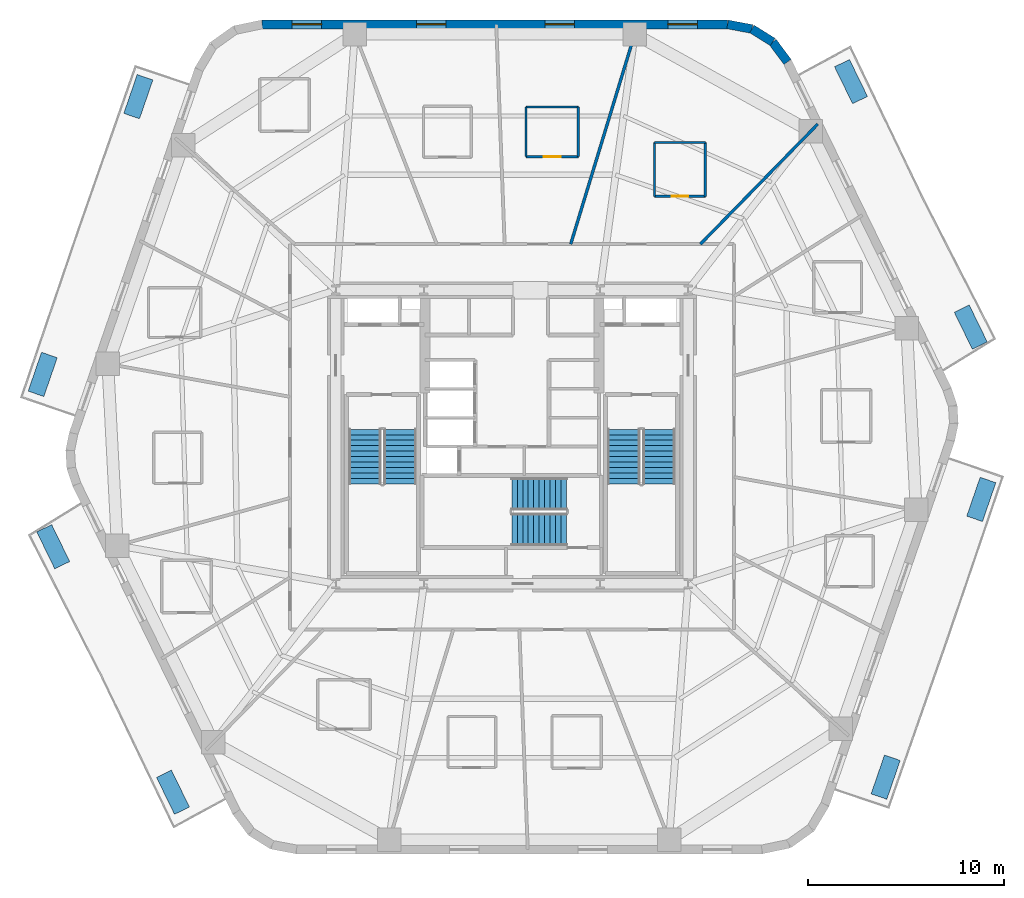
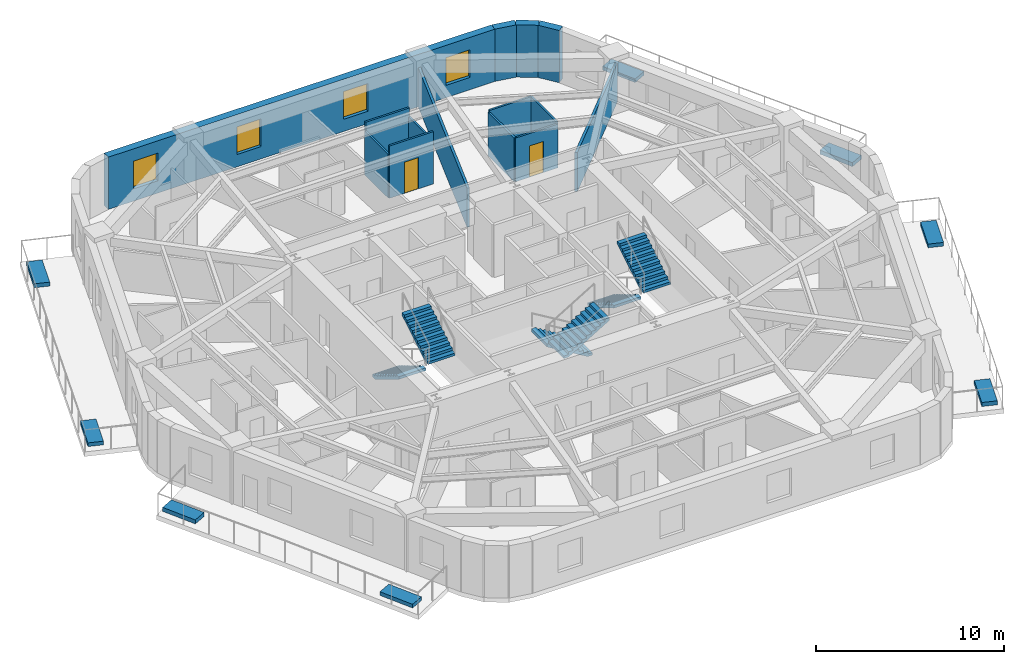
# One storey, part 7 of 10: 14 walls, 8 discrete accessories, 6 stair flights, 4 windows, 2 doors, 6 openings, 3 elements without a shape of their own.
"""IFC4 building model written with IfcOpenShell, lengths in metres."""

import ifcopenshell
import ifcopenshell.guid

model = None  # the IFC model being written
_history = None  # IfcOwnerHistory: only IFC2X3 demands one
_inside = {}  # id of a spatial element -> (the spatial element, [elements in it])
_under = {}  # id of a project, library or spatial element -> (it, [spatial elements below it])
_declared = {}  # id of a project -> (the project, [libraries it declares])
_typed = {}  # id of a type object -> (the type object, [elements of that type])
_made_of = {}  # id of a material, layer set ... -> (it, [elements and type objects made of it])


def new_model(schema):
    """Start an empty IFC model of exactly this schema.

    Asked for "IFC4X3", IfcOpenShell would pick the latest addendum, in which some entities
    have other attributes; the version numbers below select the first issue.
    IFC2X3 requires an IfcOwnerHistory on every rooted entity: one is made here for all.
    """
    global model, _history
    if schema == "IFC4X3":
        model = ifcopenshell.file(schema_version=(4, 3, 0, 0))
    else:
        model = ifcopenshell.file(schema=schema)
    _inside.clear()
    _under.clear()
    _declared.clear()
    _typed.clear()
    _made_of.clear()
    _history = None
    if model.schema == "IFC2X3":
        org = make("IfcOrganization", Name="unknown")
        user = make(
            "IfcPersonAndOrganization",
            ThePerson=make("IfcPerson", FamilyName="unknown"),
            TheOrganization=org,
        )
        app = make(
            "IfcApplication",
            ApplicationDeveloper=org,
            Version="unknown",
            ApplicationFullName="unknown",
            ApplicationIdentifier="unknown",
        )
        _history = make(
            "IfcOwnerHistory",
            OwningUser=user,
            OwningApplication=app,
            ChangeAction="ADDED",
            CreationDate=0,
        )
    return model


def make(cls, **values):
    """One entity of the class cls with the attributes given. An attribute that is None is left unset."""
    return model.create_entity(
        cls, **{name: value for name, value in values.items() if value is not None}
    )


def rooted(cls, **values):
    """An entity with a GlobalId (a new one), such as an element, a storey or a relation."""
    return make(cls, GlobalId=ifcopenshell.guid.new(), OwnerHistory=_history, **values)


def si_unit(unit_type, name, prefix=None):
    """IfcSIUnit, for example si_unit("LENGTHUNIT", "METRE", prefix="MILLI")."""
    return make("IfcSIUnit", UnitType=unit_type, Prefix=prefix, Name=name)


def assignment(units):
    """IfcUnitAssignment: the units of a project."""
    return None if units is None else make("IfcUnitAssignment", Units=units)


def point(xyz):
    """IfcCartesianPoint."""
    return None if xyz is None else make("IfcCartesianPoint", Coordinates=xyz)


def direction(xyz):
    """IfcDirection."""
    return None if xyz is None else make("IfcDirection", DirectionRatios=xyz)


def frame(location, z_axis=None, x_axis=None):
    """IfcAxis2Placement3D, a coordinate frame: its origin and axes. An axis left out is left unset."""
    return make(
        "IfcAxis2Placement3D",
        Location=point(location),
        Axis=direction(z_axis),
        RefDirection=direction(x_axis),
    )


def frame_2d(location, x_axis=None):
    """IfcAxis2Placement2D, a coordinate frame in the plane: its origin and x axis."""
    return make(
        "IfcAxis2Placement2D", Location=point(location), RefDirection=direction(x_axis)
    )


def origin():
    """The frame at (0, 0, 0) with its axes left unset."""
    return frame((0.0, 0.0, 0.0))


def origin_2d():
    """The frame at (0, 0) in the plane with its x axis left unset."""
    return frame_2d((0.0, 0.0))


def place(relative_to, where):
    """IfcLocalPlacement: puts the frame where relative to a parent placement (None: the world)."""
    return make(
        "IfcLocalPlacement", PlacementRelTo=relative_to, RelativePlacement=where
    )


def context(
    kind, dimensions, precision=None, world=None, true_north=None, identifier=None
):
    """IfcGeometricRepresentationContext, for example the 3D "Model" context."""
    return make(
        "IfcGeometricRepresentationContext",
        ContextIdentifier=identifier,
        ContextType=kind,
        CoordinateSpaceDimension=dimensions,
        Precision=precision,
        WorldCoordinateSystem=world,
        TrueNorth=true_north,
    )


def subcontext(parent, identifier, kind, view, scale=None):
    """IfcGeometricRepresentationSubContext, for example "Body" below "Model"."""
    return make(
        "IfcGeometricRepresentationSubContext",
        ContextIdentifier=identifier,
        ContextType=kind,
        ParentContext=parent,
        TargetScale=scale,
        TargetView=view,
    )


def project(units=None, contexts=None):
    """IfcProject with its units and contexts."""
    return rooted(
        "IfcProject",
        Name="project",
        RepresentationContexts=contexts,
        UnitsInContext=assignment(units),
    )


def spatial(cls, under=None, at=None, **own):
    """A site, building, storey or space (cls), placed at a placement, below another one or the project."""
    s = rooted(cls, ObjectPlacement=at, **own)
    if under is not None:
        _under.setdefault(under.id(), (under, []))[1].append(s)
    return s


def polyline(points):
    """IfcPolyline through the points."""
    return make("IfcPolyline", Points=[point(p) for p in points])


def profile(cls, at=None, kind="AREA", **sizes):
    """A parametric profile (cls). Its sizes go by their IFC names, for example OverallWidth=200.0."""
    return make(cls, ProfileType=kind, Position=at, **sizes)


def rectangle(**sizes):
    """IfcRectangleProfileDef."""
    return profile("IfcRectangleProfileDef", **sizes)


def outline(outer, holes=None, kind="AREA"):
    """IfcArbitraryClosedProfileDef: a profile drawn as a closed curve; with holes, ...WithVoids."""
    if holes is None:
        return make("IfcArbitraryClosedProfileDef", ProfileType=kind, OuterCurve=outer)
    return make(
        "IfcArbitraryProfileDefWithVoids",
        ProfileType=kind,
        OuterCurve=outer,
        InnerCurves=holes,
    )


def extrude(swept, where, along, depth):
    """IfcExtrudedAreaSolid: the profile swept, set in the frame where, extruded along a direction by depth."""
    return make(
        "IfcExtrudedAreaSolid",
        SweptArea=swept,
        Position=where,
        ExtrudedDirection=direction(along),
        Depth=depth,
    )


def shape(context_of_items, identifier, shape_type, items):
    """IfcShapeRepresentation: the items that make up one representation, for example the "Body"."""
    return make(
        "IfcShapeRepresentation",
        ContextOfItems=context_of_items,
        RepresentationIdentifier=identifier,
        RepresentationType=shape_type,
        Items=items,
    )


def material(Name=None, Category=None):
    """IfcMaterial."""
    return make("IfcMaterial", Name=Name, Category=Category)


def layer(
    of_material, thickness, ventilated=None, Name=None, Category=None, Priority=None
):
    """IfcMaterialLayer: one layer of a wall or slab, of a material (None: an air gap)."""
    return make(
        "IfcMaterialLayer",
        Material=of_material,
        LayerThickness=thickness,
        IsVentilated=ventilated,
        Name=Name,
        Category=Category,
        Priority=Priority,
    )


def layer_set(layers, Name=None):
    """IfcMaterialLayerSet."""
    return make("IfcMaterialLayerSet", MaterialLayers=layers, LayerSetName=Name)


def made_of(thing, what):
    """Note that an element or type object is made of a material, layer set ...; save() writes the relation."""
    if what is not None:
        _made_of.setdefault(what.id(), (what, []))[1].append(thing)
    return thing


def type_object(cls, material=None, **own):
    """A type object (cls), such as IfcWallType, which elements share."""
    return made_of(rooted(cls, **own), material)


def element(
    cls,
    number,
    at=None,
    inside=None,
    cuts=None,
    type_object=None,
    material=None,
    context=None,
    identifier="Body",
    shape_type=None,
    held_by="IfcProductDefinitionShape",
    body=None,
    shapes=None,
    **own,
):
    """One element of the class cls, such as IfcWall. Its Tag is "e" and its number.

    at: its placement. inside: the storey or other place that contains it. cuts: it is an
    opening in that element (IfcRelVoidsElement). A single representation is given by context,
    identifier, shape_type and body (its items); several are given by shapes. held_by: the class
    of the entity that holds the representations. save() writes the other relations.
    """
    e = rooted(cls, Tag="e%d" % number, ObjectPlacement=at, **own)
    if body is not None:
        shapes = [shape(context, identifier, shape_type, body)]
    if shapes is not None:
        e.Representation = make(held_by, Representations=shapes)
    if inside is not None:
        _inside.setdefault(inside.id(), (inside, []))[1].append(e)
    if cuts is not None:
        rooted(
            "IfcRelVoidsElement", RelatingBuildingElement=cuts, RelatedOpeningElement=e
        )
    if type_object is not None:
        _typed.setdefault(type_object.id(), (type_object, []))[1].append(e)
    return made_of(e, material)


def fill(opening, filler):
    """IfcRelFillsElement: the door or window that sits in an opening."""
    return rooted(
        "IfcRelFillsElement",
        RelatingOpeningElement=opening,
        RelatedBuildingElement=filler,
    )


def aggregate(whole, parts):
    """IfcRelAggregates: a whole, such as a stair, and the parts it consists of."""
    return rooted("IfcRelAggregates", RelatingObject=whole, RelatedObjects=parts)


def save(model, path):
    """Write the relations noted so far, then the file.

    IfcRelAggregates (storeys below a building ...), IfcRelContainedInSpatialStructure (elements
    in a storey), IfcRelDefinesByType, IfcRelAssociatesMaterial and IfcRelDeclares: one each for
    every whole, place, type object, material and project.
    """
    for whole, parts in _under.values():
        aggregate(whole, parts)
    for where, things in _inside.values():
        rooted(
            "IfcRelContainedInSpatialStructure",
            RelatedElements=things,
            RelatingStructure=where,
        )
    for kind, things in _typed.values():
        rooted("IfcRelDefinesByType", RelatedObjects=things, RelatingType=kind)
    for what, things in _made_of.values():
        rooted("IfcRelAssociatesMaterial", RelatedObjects=things, RelatingMaterial=what)
    for by, libraries in _declared.values():
        rooted("IfcRelDeclares", RelatingContext=by, RelatedDefinitions=libraries)
    model.write(path)


model = new_model("IFC4")

# Units and contexts
model_context = context("Model", 3, precision=1e-05, world=origin(), true_north=direction((0.0, 1.0)))
body_context = subcontext(model_context, "Body", "Model", "MODEL_VIEW")
ifc_project = project(units=[si_unit("LENGTHUNIT", "METRE"), si_unit("AREAUNIT", "SQUARE_METRE"), si_unit("VOLUMEUNIT", "CUBIC_METRE"), si_unit("PLANEANGLEUNIT", "RADIAN"), si_unit("MASSUNIT", "GRAM", prefix="KILO")], contexts=[model_context])

# Site, building, storey
site_placement = place(None, origin())
site = spatial("IfcSite", under=ifc_project, at=site_placement, CompositionType="ELEMENT")
building_placement = place(site_placement, origin())
building = spatial("IfcBuilding", under=site, at=building_placement, Name="Kilnhurst Terrace Hotel", CompositionType="ELEMENT")
storey_placement = place(building_placement, frame((0.0, 0.0, 113.60009765625)))
storey = spatial("IfcBuildingStorey", under=building, at=storey_placement, Name="L27", CompositionType="ELEMENT", Elevation=113.60009765625)

# Walls
ifc_material_1 = material(Name="Precast concrete C40/50", Category="concrete")
ifc_layer_1 = layer(ifc_material_1, 0.449951171875, Name="Precast concrete C40/50")
ifc_layer_set_1 = layer_set([ifc_layer_1], Name="Precast concrete C40/50")
wall_type_1 = type_object("IfcWallType", Name="WL-BRK-450", PredefinedType="SOLIDWALL", material=ifc_layer_set_1)
wall_1_placement = place(storey_placement, frame((14.07568359375, 19.16064453125, 0.0), z_axis=(0.0, 0.0, 1.0), x_axis=(-0.597226657159, 0.802072515412, 0.0)))
element("IfcWall", 1, at=wall_1_placement, inside=storey, type_object=wall_type_1, Name="L27 Rounded Corner Brick Wall C4.1", PredefinedType="SOLIDWALL", context=body_context, shape_type="SweptSolid", body=[
    extrude(rectangle(XDim=1.269287109375, YDim=0.449951171875, at=frame_2d((0.634765625, 0.0))), origin(), (0.0, 0.0, 1.0), 3.39990234375),
])
wall_2_placement = place(storey_placement, frame((13.317626953125, 20.1787109375, 0.0), z_axis=(0.0, 0.0, 1.0), x_axis=(-0.848031272749, 0.529946186362, 0.0)))
element("IfcWall", 2, at=wall_2_placement, inside=storey, type_object=wall_type_1, Name="L27 Rounded Corner Brick Wall C4.2", PredefinedType="SOLIDWALL", context=body_context, shape_type="SweptSolid", body=[
    extrude(rectangle(XDim=1.248046875, YDim=0.449951171875, at=frame_2d((0.6240234375, 0.0))), origin(), (0.0, 0.0, 1.0), 3.39990234375),
])
wall_3_placement = place(storey_placement, frame((12.25927734375, 20.840087890625, 0.0), z_axis=(0.0, 0.0, 1.0), x_axis=(-0.982730354425, 0.185043374624, 0.0)))
element("IfcWall", 3, at=wall_3_placement, inside=storey, type_object=wall_type_1, Name="L27 Rounded Corner Brick Wall C4.3", PredefinedType="SOLIDWALL", context=body_context, shape_type="SweptSolid", body=[
    extrude(rectangle(XDim=1.269287109375, YDim=0.449951171875, at=frame_2d((0.634765625, 0.0))), origin(), (0.0, 0.0, 1.0), 3.39990234375),
])

# Wall, openings, windows
wall_4_placement = place(storey_placement, frame((11.011962890625, 21.074951171875, 0.0), z_axis=(0.0, 0.0, 1.0), x_axis=(-1.0, 0.0, 0.0)))
wall_4 = element("IfcWall", 4, at=wall_4_placement, inside=storey, type_object=wall_type_1, Name="L27 Exterior Brick Facade Wall F4", PredefinedType="SOLIDWALL", context=body_context, shape_type="SweptSolid", body=[
    extrude(rectangle(XDim=23.782470703125, YDim=0.449951171875, at=frame_2d((11.89111328125, 0.0))), origin(), (0.0, 0.0, 1.0), 3.39990234375),
])
opening_1_placement = place(wall_4_placement, frame((1.5419921875, 0.0, 0.800048828125)))
opening_1 = element("IfcOpeningElement", 5, at=opening_1_placement, cuts=wall_4, Name="Opening W-02", PredefinedType="OPENING", context=body_context, shape_type="SweptSolid", body=[
    extrude(rectangle(XDim=1.5, YDim=1.800048828125, at=frame_2d((0.75, 0.89990234375))), frame((0.0, 0.23486328125, 0.0), z_axis=(0.0, -1.0, 0.0), x_axis=(1.0, 0.0, 0.0)), (0.0, 0.0, 1.0), 0.469970703125),
])
opening_2_placement = place(wall_4_placement, frame((7.820068359375, 0.0, 0.800048828125)))
opening_2 = element("IfcOpeningElement", 6, at=opening_2_placement, cuts=wall_4, Name="Opening W-02", PredefinedType="OPENING", context=body_context, shape_type="SweptSolid", body=[
    extrude(rectangle(XDim=1.5, YDim=1.800048828125, at=frame_2d((0.75, 0.89990234375))), frame((0.0, 0.23486328125, 0.0), z_axis=(0.0, -1.0, 0.0), x_axis=(1.0, 0.0, 0.0)), (0.0, 0.0, 1.0), 0.469970703125),
])
opening_3_placement = place(wall_4_placement, frame((14.387939453125, 0.0, 0.800048828125)))
opening_3 = element("IfcOpeningElement", 7, at=opening_3_placement, cuts=wall_4, Name="Opening W-02", PredefinedType="OPENING", context=body_context, shape_type="SweptSolid", body=[
    extrude(rectangle(XDim=1.5, YDim=1.800048828125, at=frame_2d((0.75, 0.89990234375))), frame((0.0, 0.23486328125, 0.0), z_axis=(0.0, -1.0, 0.0), x_axis=(1.0, 0.0, 0.0)), (0.0, 0.0, 1.0), 0.469970703125),
])
opening_4_placement = place(wall_4_placement, frame((20.740966796875, 0.0, 0.800048828125)))
opening_4 = element("IfcOpeningElement", 8, at=opening_4_placement, cuts=wall_4, Name="Opening W-02", PredefinedType="OPENING", context=body_context, shape_type="SweptSolid", body=[
    extrude(rectangle(XDim=1.5, YDim=1.800048828125, at=frame_2d((0.75, 0.89990234375))), frame((0.0, 0.23486328125, 0.0), z_axis=(0.0, -1.0, 0.0), x_axis=(1.0, 0.0, 0.0)), (0.0, 0.0, 1.0), 0.469970703125),
])
ifc_material_2 = material(Name="Thermally Broken Bronze Aluminium Alloy 6063-T6 and Low-E Glass", Category="aluminium")
window_type = type_object("IfcWindowType", Name="WIN-1500X1800", PartitioningType="SINGLE_PANEL", PredefinedType="WINDOW", material=ifc_material_2)
window_1_placement = place(opening_1_placement, origin())
window_1 = element("IfcWindow", 9, at=window_1_placement, inside=storey, type_object=window_type, Name="L27 Deep-Set Masonry Window F4.1", OverallHeight=1.800048828125, OverallWidth=1.5, PartitioningType="SINGLE_PANEL", PredefinedType="WINDOW", context=body_context, shape_type="SweptSolid", body=[
    extrude(rectangle(XDim=1.5, YDim=1.800048828125, at=frame_2d((0.75, 0.89990234375))), frame((0.0, 0.030029296875, 0.0), z_axis=(0.0, -1.0, 0.0), x_axis=(1.0, 0.0, 0.0)), (0.0, 0.0, 1.0), 0.06005859375),
])
fill(opening_1, window_1)
window_2_placement = place(opening_2_placement, origin())
window_2 = element("IfcWindow", 10, at=window_2_placement, inside=storey, type_object=window_type, Name="L27 Deep-Set Masonry Window F4.2", OverallHeight=1.800048828125, OverallWidth=1.5, PartitioningType="SINGLE_PANEL", PredefinedType="WINDOW", context=body_context, shape_type="SweptSolid", body=[
    extrude(rectangle(XDim=1.5, YDim=1.800048828125, at=frame_2d((0.75, 0.89990234375))), frame((0.0, 0.030029296875, 0.0), z_axis=(0.0, -1.0, 0.0), x_axis=(1.0, 0.0, 0.0)), (0.0, 0.0, 1.0), 0.06005859375),
])
fill(opening_2, window_2)
window_3_placement = place(opening_3_placement, origin())
window_3 = element("IfcWindow", 11, at=window_3_placement, inside=storey, type_object=window_type, Name="L27 Deep-Set Masonry Window F4.3", OverallHeight=1.800048828125, OverallWidth=1.5, PartitioningType="SINGLE_PANEL", PredefinedType="WINDOW", context=body_context, shape_type="SweptSolid", body=[
    extrude(rectangle(XDim=1.5, YDim=1.800048828125, at=frame_2d((0.75, 0.89990234375))), frame((0.0, 0.030029296875, 0.0), z_axis=(0.0, -1.0, 0.0), x_axis=(1.0, 0.0, 0.0)), (0.0, 0.0, 1.0), 0.06005859375),
])
fill(opening_3, window_3)
window_4_placement = place(opening_4_placement, origin())
window_4 = element("IfcWindow", 12, at=window_4_placement, inside=storey, type_object=window_type, Name="L27 Deep-Set Masonry Window F4.4", OverallHeight=1.800048828125, OverallWidth=1.5, PartitioningType="SINGLE_PANEL", PredefinedType="WINDOW", context=body_context, shape_type="SweptSolid", body=[
    extrude(rectangle(XDim=1.5, YDim=1.800048828125, at=frame_2d((0.75, 0.89990234375))), frame((0.0, 0.030029296875, 0.0), z_axis=(0.0, -1.0, 0.0), x_axis=(1.0, 0.0, 0.0)), (0.0, 0.0, 1.0), 0.06005859375),
])
fill(opening_4, window_4)

# Walls
ifc_material_3 = material(Name="STC-58 Acoustic Twin-Frame Guestroom Demising Partition")
ifc_layer_2 = layer(ifc_material_3, 0.14990234375, Name="STC-58 Acoustic Twin-Frame Guestroom Demising Partition")
ifc_layer_set_2 = layer_set([ifc_layer_2], Name="STC-58 Acoustic Twin-Frame Guestroom Demising Partition")
wall_type_2 = type_object("IfcWallType", Name="WL-DEM-150", PredefinedType="PARTITIONING", material=ifc_layer_set_2)
wall_5_placement = place(storey_placement, frame((9.6279296875, 9.85009765625, 0.0), z_axis=(0.0, 0.0, 1.0), x_axis=(0.698992824326, 0.715128681805, 0.0)))
element("IfcWall", 13, at=wall_5_placement, inside=storey, type_object=wall_type_2, Name="L27 Interior Wall WL-L27-DEM-COL02-03-1", PredefinedType="PARTITIONING", context=body_context, shape_type="SweptSolid", body=[
    extrude(rectangle(XDim=8.578857421875, YDim=0.14990234375, at=frame_2d((4.28955078125, 0.0))), origin(), (0.0, 0.0, 1.0), 2.539794921875),
])
wall_6_placement = place(storey_placement, frame((3.0, 9.85009765625, 0.0), z_axis=(0.0, 0.0, 1.0), x_axis=(0.291352035382, 0.95661590593, 0.0)))
element("IfcWall", 14, at=wall_6_placement, inside=storey, type_object=wall_type_2, Name="L27 Interior Wall WL-L27-DEM-COL03-04-1", PredefinedType="PARTITIONING", context=body_context, shape_type="SweptSolid", body=[
    extrude(rectangle(XDim=11.73388671875, YDim=0.14990234375, at=frame_2d((5.866943359375, 0.0))), origin(), (0.0, 0.0, 1.0), 2.539794921875),
])

# Wall, opening, door
ifc_material_4 = material(Name="120 mm Moisture-Resistant Tile-Backed Bathroom Partition")
ifc_layer_3 = layer(ifc_material_4, 0.1201171875, Name="120 mm Moisture-Resistant Tile-Backed Bathroom Partition")
ifc_layer_set_3 = layer_set([ifc_layer_3], Name="120 mm Moisture-Resistant Tile-Backed Bathroom Partition")
wall_type_3 = type_object("IfcWallType", Name="WL-PART-120", PredefinedType="PARTITIONING", material=ifc_layer_set_3)
wall_7_placement = place(storey_placement, frame((7.277099609375, 12.294921875, 0.0), z_axis=(0.0, 0.0, 1.0), x_axis=(1.0, 0.0, 0.0)))
wall_7 = element("IfcWall", 15, at=wall_7_placement, inside=storey, type_object=wall_type_3, Name="L27 Interior Wall WL-L27-BTH-03-1", PredefinedType="PARTITIONING", context=body_context, shape_type="SweptSolid", body=[
    extrude(rectangle(XDim=2.599853515625, YDim=0.1201171875, at=frame_2d((1.2998046875, 0.0))), origin(), (0.0, 0.0, 1.0), 2.84033203125),
])
opening_5_placement = place(wall_7_placement, frame((0.875, 0.0, 0.0)))
opening_5 = element("IfcOpeningElement", 16, at=opening_5_placement, cuts=wall_7, Name="Opening D-08A", PredefinedType="OPENING", context=body_context, shape_type="SweptSolid", body=[
    extrude(rectangle(XDim=0.85009765625, YDim=2.030029296875, at=frame_2d((0.425048828125, 1.01513671875))), frame((0.0, 0.070068359375, 0.0), z_axis=(0.0, -1.0, 0.0), x_axis=(1.0, 0.0, 0.0)), (0.0, 0.0, 1.0), 0.14013671875),
])
ifc_material_5 = material(Name="Moisture-Resistant Lacquered En-suite Bathroom Door")
door_type = type_object("IfcDoorType", Name="DR-INT-850", OperationType="NOTDEFINED", PredefinedType="DOOR", material=ifc_material_5)
door_1_placement = place(opening_5_placement, origin())
door_1 = element("IfcDoor", 17, at=door_1_placement, inside=storey, type_object=door_type, Name="L27 En-suite Bathroom Door 3", OperationType="SINGLE_SWING_RIGHT", OverallHeight=2.030029296875, OverallWidth=0.85009765625, PredefinedType="DOOR", context=body_context, shape_type="SweptSolid", body=[
    extrude(rectangle(XDim=0.85009765625, YDim=2.030029296875, at=frame_2d((0.425048828125, 1.01513671875))), frame((0.0, 0.02490234375, 0.0), z_axis=(0.0, -1.0, 0.0), x_axis=(1.0, 0.0, 0.0)), (0.0, 0.0, 1.0), 0.050048828125),
])
fill(opening_5, door_1)

# Walls
wall_8_placement = place(storey_placement, frame((9.876953125, 12.294921875, 0.0), z_axis=(0.0, 0.0, 1.0), x_axis=(0.0, 1.0, 0.0)))
element("IfcWall", 18, at=wall_8_placement, inside=storey, type_object=wall_type_3, Name="L27 Interior Wall WL-L27-BTH-03-2", PredefinedType="PARTITIONING", context=body_context, shape_type="SweptSolid", body=[
    extrude(rectangle(XDim=2.75, YDim=0.1201171875, at=frame_2d((1.375, 0.0))), origin(), (0.0, 0.0, 1.0), 2.97216796875),
])
wall_9_placement = place(storey_placement, frame((9.876953125, 15.044921875, 0.0), z_axis=(0.0, 0.0, 1.0), x_axis=(-1.0, 0.0, 0.0)))
element("IfcWall", 19, at=wall_9_placement, inside=storey, type_object=wall_type_3, Name="L27 Interior Wall WL-L27-BTH-03-3", PredefinedType="PARTITIONING", context=body_context, shape_type="SweptSolid", body=[
    extrude(rectangle(XDim=2.599853515625, YDim=0.1201171875, at=frame_2d((1.2998046875, 0.0))), origin(), (0.0, 0.0, 1.0), 2.97216796875),
])
wall_10_placement = place(storey_placement, frame((7.277099609375, 15.044921875, 0.0), z_axis=(0.0, 0.0, 1.0), x_axis=(0.0, -1.0, 0.0)))
element("IfcWall", 20, at=wall_10_placement, inside=storey, type_object=wall_type_3, Name="L27 Interior Wall WL-L27-BTH-03-4", PredefinedType="PARTITIONING", context=body_context, shape_type="SweptSolid", body=[
    extrude(rectangle(XDim=2.75, YDim=0.1201171875, at=frame_2d((1.375, 0.0))), origin(), (0.0, 0.0, 1.0), 2.84033203125),
])

# Wall, opening, door
wall_11_placement = place(storey_placement, frame((0.712890625, 14.31689453125, 0.0), z_axis=(0.0, 0.0, 1.0), x_axis=(1.0, 0.0, 0.0)))
wall_11 = element("IfcWall", 21, at=wall_11_placement, inside=storey, type_object=wall_type_3, Name="L27 Interior Wall WL-L27-BTH-04-1", PredefinedType="PARTITIONING", context=body_context, shape_type="SweptSolid", body=[
    extrude(rectangle(XDim=2.68017578125, YDim=0.1201171875, at=frame_2d((1.340087890625, 0.0))), origin(), (0.0, 0.0, 1.0), 3.39990234375),
])
opening_6_placement = place(wall_11_placement, frame((0.9150390625, 0.0, 0.0)))
opening_6 = element("IfcOpeningElement", 22, at=opening_6_placement, cuts=wall_11, Name="Opening D-08A", PredefinedType="OPENING", context=body_context, shape_type="SweptSolid", body=[
    extrude(rectangle(XDim=0.85009765625, YDim=2.030029296875, at=frame_2d((0.425048828125, 1.01513671875))), frame((0.0, 0.070068359375, 0.0), z_axis=(0.0, -1.0, 0.0), x_axis=(1.0, 0.0, 0.0)), (0.0, 0.0, 1.0), 0.14013671875),
])
door_2_placement = place(opening_6_placement, origin())
door_2 = element("IfcDoor", 23, at=door_2_placement, inside=storey, type_object=door_type, Name="L27 En-suite Bathroom Door 4", OperationType="SINGLE_SWING_LEFT", OverallHeight=2.030029296875, OverallWidth=0.85009765625, PredefinedType="DOOR", context=body_context, shape_type="SweptSolid", body=[
    extrude(rectangle(XDim=0.85009765625, YDim=2.030029296875, at=frame_2d((0.425048828125, 1.01513671875))), frame((0.0, 0.02490234375, 0.0), z_axis=(0.0, -1.0, 0.0), x_axis=(1.0, 0.0, 0.0)), (0.0, 0.0, 1.0), 0.050048828125),
])
fill(opening_6, door_2)

# Walls
wall_12_placement = place(storey_placement, frame((3.39306640625, 14.31689453125, 0.0), z_axis=(0.0, 0.0, 1.0), x_axis=(0.0, 1.0, 0.0)))
element("IfcWall", 24, at=wall_12_placement, inside=storey, type_object=wall_type_3, Name="L27 Interior Wall WL-L27-BTH-04-2", PredefinedType="PARTITIONING", context=body_context, shape_type="SweptSolid", body=[
    extrude(rectangle(XDim=2.5400390625, YDim=0.1201171875, at=frame_2d((1.27001953125, 0.0))), origin(), (0.0, 0.0, 1.0), 2.84033203125),
])
wall_13_placement = place(storey_placement, frame((3.39306640625, 16.85693359375, 0.0), z_axis=(0.0, 0.0, 1.0), x_axis=(-1.0, 0.0, 0.0)))
element("IfcWall", 25, at=wall_13_placement, inside=storey, type_object=wall_type_3, Name="L27 Interior Wall WL-L27-BTH-04-3", PredefinedType="PARTITIONING", context=body_context, shape_type="SweptSolid", body=[
    extrude(rectangle(XDim=2.68017578125, YDim=0.1201171875, at=frame_2d((1.340087890625, 0.0))), origin(), (0.0, 0.0, 1.0), 3.39990234375),
])
wall_14_placement = place(storey_placement, frame((0.712890625, 16.85693359375, 0.0), z_axis=(0.0, 0.0, 1.0), x_axis=(0.0, -1.0, 0.0)))
element("IfcWall", 26, at=wall_14_placement, inside=storey, type_object=wall_type_3, Name="L27 Interior Wall WL-L27-BTH-04-4", PredefinedType="PARTITIONING", context=body_context, shape_type="SweptSolid", body=[
    extrude(rectangle(XDim=2.5400390625, YDim=0.1201171875, at=frame_2d((1.27001953125, 0.0))), origin(), (0.0, 0.0, 1.0), 2.84033203125),
])

# Stair, stair flights
ifc_material_6 = material(Name="Concrete C50/60", Category="concrete")
stair_type = type_object("IfcStairType", Name="STR-CORE-1660", PredefinedType="HALF_TURN_STAIR", material=ifc_material_6)
stair_1_placement = place(storey_placement, origin())
stair_1 = element("IfcStair", 27, at=stair_1_placement, inside=storey, type_object=stair_type, Name="L27 ST-1", PredefinedType="HALF_TURN_STAIR")
stair_flight_type = type_object("IfcStairFlightType", Name="FLT-RC-1660", PredefinedType="STRAIGHT", material=ifc_material_6)
stair_flight_1_placement = place(storey_placement, frame((-7.52001953125, 0.389892578125, 0.0), z_axis=(0.0, 0.0, 1.0), x_axis=(0.0, -1.0, 0.0)))
stair_flight_1 = element("IfcStairFlight", 28, at=stair_flight_1_placement, type_object=stair_flight_type, Name="ST-1 flight 1", NumberOfRisers=11, NumberOfTreads=10, PredefinedType="STRAIGHT", RiserHeight=0.168181818, TreadLength=0.28, context=body_context, shape_type="SweptSolid", body=[
    extrude(outline(polyline([(0.0, 0.0), (0.0, 0.168212890625), (0.280029296875, 0.168212890625), (0.280029296875, 0.33642578125), (0.56005859375, 0.33642578125), (0.56005859375, 0.504638671875), (0.840087890625, 0.504638671875), (0.840087890625, 0.672607421875), (1.1201171875, 0.672607421875), (1.1201171875, 0.8408203125), (1.39990234375, 0.8408203125), (1.39990234375, 1.009033203125), (1.679931640625, 1.009033203125), (1.679931640625, 1.17724609375), (1.9599609375, 1.17724609375), (1.9599609375, 1.345458984375), (2.239990234375, 1.345458984375), (2.239990234375, 1.513671875), (2.52001953125, 1.513671875), (2.52001953125, 1.681884765625), (2.800048828125, 1.681884765625), (2.800048828125, 1.85009765625), (2.800048828125, 1.5068359375), (0.291015625, 0.0), (0.0, 0.0)])), frame((0.0, 0.830078125, 0.0), z_axis=(0.0, -1.0, 0.0), x_axis=(1.0, 0.0, 0.0)), (0.0, 0.0, 1.0), 1.659912109375),
])
stair_flight_2_placement = place(storey_placement, frame((-5.7099609375, -2.409912109375, 1.849853515625), z_axis=(0.0, 0.0, 1.0), x_axis=(0.0, 1.0, 0.0)))
stair_flight_2 = element("IfcStairFlight", 29, at=stair_flight_2_placement, type_object=stair_flight_type, Name="ST-1 flight 2", NumberOfRisers=11, NumberOfTreads=10, PredefinedType="STRAIGHT", RiserHeight=0.168181818, TreadLength=0.28, context=body_context, shape_type="SweptSolid", body=[
    extrude(outline(polyline([(0.0, 0.0), (0.0, 0.168212890625), (0.280029296875, 0.168212890625), (0.280029296875, 0.33642578125), (0.56005859375, 0.33642578125), (0.56005859375, 0.504638671875), (0.840087890625, 0.504638671875), (0.840087890625, 0.672607421875), (1.1201171875, 0.672607421875), (1.1201171875, 0.8408203125), (1.39990234375, 0.8408203125), (1.39990234375, 1.009033203125), (1.679931640625, 1.009033203125), (1.679931640625, 1.17724609375), (1.9599609375, 1.17724609375), (1.9599609375, 1.345458984375), (2.239990234375, 1.345458984375), (2.239990234375, 1.513671875), (2.52001953125, 1.513671875), (2.52001953125, 1.681884765625), (2.800048828125, 1.681884765625), (2.800048828125, 1.85009765625), (2.800048828125, 1.5068359375), (0.291015625, 0.0), (0.0, 0.0)])), frame((0.0, 0.830078125, 0.0), z_axis=(0.0, -1.0, 0.0), x_axis=(1.0, 0.0, 0.0)), (0.0, 0.0, 1.0), 1.659912109375),
])
aggregate(stair_1, [stair_flight_1, stair_flight_2])

stair_2_placement = place(storey_placement, origin())
stair_2 = element("IfcStair", 30, at=stair_2_placement, inside=storey, type_object=stair_type, Name="L27 ST-2", PredefinedType="HALF_TURN_STAIR")
stair_flight_3_placement = place(storey_placement, frame((5.7099609375, 0.389892578125, 0.0), z_axis=(0.0, 0.0, 1.0), x_axis=(0.0, -1.0, 0.0)))
stair_flight_3 = element("IfcStairFlight", 31, at=stair_flight_3_placement, type_object=stair_flight_type, Name="ST-2 flight 1", NumberOfRisers=11, NumberOfTreads=10, PredefinedType="STRAIGHT", RiserHeight=0.168181818, TreadLength=0.28, context=body_context, shape_type="SweptSolid", body=[
    extrude(outline(polyline([(0.0, 0.0), (0.0, 0.168212890625), (0.280029296875, 0.168212890625), (0.280029296875, 0.33642578125), (0.56005859375, 0.33642578125), (0.56005859375, 0.504638671875), (0.840087890625, 0.504638671875), (0.840087890625, 0.672607421875), (1.1201171875, 0.672607421875), (1.1201171875, 0.8408203125), (1.39990234375, 0.8408203125), (1.39990234375, 1.009033203125), (1.679931640625, 1.009033203125), (1.679931640625, 1.17724609375), (1.9599609375, 1.17724609375), (1.9599609375, 1.345458984375), (2.239990234375, 1.345458984375), (2.239990234375, 1.513671875), (2.52001953125, 1.513671875), (2.52001953125, 1.681884765625), (2.800048828125, 1.681884765625), (2.800048828125, 1.85009765625), (2.800048828125, 1.5068359375), (0.291015625, 0.0), (0.0, 0.0)])), frame((0.0, 0.830078125, 0.0), z_axis=(0.0, -1.0, 0.0), x_axis=(1.0, 0.0, 0.0)), (0.0, 0.0, 1.0), 1.659912109375),
])
stair_flight_4_placement = place(storey_placement, frame((7.52001953125, -2.409912109375, 1.849853515625), z_axis=(0.0, 0.0, 1.0), x_axis=(0.0, 1.0, 0.0)))
stair_flight_4 = element("IfcStairFlight", 32, at=stair_flight_4_placement, type_object=stair_flight_type, Name="ST-2 flight 2", NumberOfRisers=11, NumberOfTreads=10, PredefinedType="STRAIGHT", RiserHeight=0.168181818, TreadLength=0.28, context=body_context, shape_type="SweptSolid", body=[
    extrude(outline(polyline([(0.0, 0.0), (0.0, 0.168212890625), (0.280029296875, 0.168212890625), (0.280029296875, 0.33642578125), (0.56005859375, 0.33642578125), (0.56005859375, 0.504638671875), (0.840087890625, 0.504638671875), (0.840087890625, 0.672607421875), (1.1201171875, 0.672607421875), (1.1201171875, 0.8408203125), (1.39990234375, 0.8408203125), (1.39990234375, 1.009033203125), (1.679931640625, 1.009033203125), (1.679931640625, 1.17724609375), (1.9599609375, 1.17724609375), (1.9599609375, 1.345458984375), (2.239990234375, 1.345458984375), (2.239990234375, 1.513671875), (2.52001953125, 1.513671875), (2.52001953125, 1.681884765625), (2.800048828125, 1.681884765625), (2.800048828125, 1.85009765625), (2.800048828125, 1.5068359375), (0.291015625, 0.0), (0.0, 0.0)])), frame((0.0, 0.830078125, 0.0), z_axis=(0.0, -1.0, 0.0), x_axis=(1.0, 0.0, 0.0)), (0.0, 0.0, 1.0), 1.659912109375),
])
aggregate(stair_2, [stair_flight_3, stair_flight_4])

stair_3_placement = place(storey_placement, origin())
stair_3 = element("IfcStair", 33, at=stair_3_placement, inside=storey, type_object=stair_type, Name="L27 ST-3", PredefinedType="HALF_TURN_STAIR")
stair_flight_5_placement = place(storey_placement, frame((2.7900390625, -2.909912109375, 0.0), z_axis=(0.0, 0.0, 1.0), x_axis=(-1.0, 0.0, 0.0)))
stair_flight_5 = element("IfcStairFlight", 34, at=stair_flight_5_placement, type_object=stair_flight_type, Name="ST-3 flight 1", NumberOfRisers=11, NumberOfTreads=10, PredefinedType="STRAIGHT", RiserHeight=0.168181818, TreadLength=0.28, context=body_context, shape_type="SweptSolid", body=[
    extrude(outline(polyline([(0.0, 0.0), (0.0, 0.168212890625), (0.280029296875, 0.168212890625), (0.280029296875, 0.33642578125), (0.56005859375, 0.33642578125), (0.56005859375, 0.504638671875), (0.840087890625, 0.504638671875), (0.840087890625, 0.672607421875), (1.1201171875, 0.672607421875), (1.1201171875, 0.8408203125), (1.39990234375, 0.8408203125), (1.39990234375, 1.009033203125), (1.679931640625, 1.009033203125), (1.679931640625, 1.17724609375), (1.9599609375, 1.17724609375), (1.9599609375, 1.345458984375), (2.239990234375, 1.345458984375), (2.239990234375, 1.513671875), (2.52001953125, 1.513671875), (2.52001953125, 1.681884765625), (2.800048828125, 1.681884765625), (2.800048828125, 1.85009765625), (2.800048828125, 1.5068359375), (0.291015625, 0.0), (0.0, 0.0)])), frame((0.0, 0.830078125, 0.0), z_axis=(0.0, -1.0, 0.0), x_axis=(1.0, 0.0, 0.0)), (0.0, 0.0, 1.0), 1.659912109375),
])
stair_flight_6_placement = place(storey_placement, frame((-0.010009765625, -4.719970703125, 1.849853515625), z_axis=(0.0, 0.0, 1.0), x_axis=(1.0, 0.0, 0.0)))
stair_flight_6 = element("IfcStairFlight", 35, at=stair_flight_6_placement, type_object=stair_flight_type, Name="ST-3 flight 2", NumberOfRisers=11, NumberOfTreads=10, PredefinedType="STRAIGHT", RiserHeight=0.168181818, TreadLength=0.28, context=body_context, shape_type="SweptSolid", body=[
    extrude(outline(polyline([(0.0, 0.0), (0.0, 0.168212890625), (0.280029296875, 0.168212890625), (0.280029296875, 0.33642578125), (0.56005859375, 0.33642578125), (0.56005859375, 0.504638671875), (0.840087890625, 0.504638671875), (0.840087890625, 0.672607421875), (1.1201171875, 0.672607421875), (1.1201171875, 0.8408203125), (1.39990234375, 0.8408203125), (1.39990234375, 1.009033203125), (1.679931640625, 1.009033203125), (1.679931640625, 1.17724609375), (1.9599609375, 1.17724609375), (1.9599609375, 1.345458984375), (2.239990234375, 1.345458984375), (2.239990234375, 1.513671875), (2.52001953125, 1.513671875), (2.52001953125, 1.681884765625), (2.800048828125, 1.681884765625), (2.800048828125, 1.85009765625), (2.800048828125, 1.5068359375), (0.291015625, 0.0), (0.0, 0.0)])), frame((0.0, 0.830078125, 0.0), z_axis=(0.0, -1.0, 0.0), x_axis=(1.0, 0.0, 0.0)), (0.0, 0.0, 1.0), 1.659912109375),
])
aggregate(stair_3, [stair_flight_5, stair_flight_6])

# Discrete accessories
ifc_material_7 = material(Name="Precast Concrete C40/50 Shrub Planter", Category="concrete")
discrete_accessory_type_1 = type_object("IfcDiscreteAccessoryType", Name="PLN-SHRUB-240", PredefinedType="USERDEFINED", material=ifc_material_7)
for number, where, z_axis, x_axis, name in (
    (36, (23.9765625, -3.193115234375, 0.0), (0.0, 0.0, 1.0), (0.325601159083, 0.945507210551, 0.0), "L27 Structural Tree Planter Box PLANTER BAL-L1A.2"),
    (37, (17.321044921875, 18.15234375, 0.0), (0.0, 0.0, 1.0), (-0.438386833638, 0.898786395142, 0.0), "L27 Structural Tree Planter Box PLANTER BAL-L1B.2"),
    (38, (-23.9765625, 3.193115234375, 0.0), (0.0, 0.0, 1.0), (-0.325601159083, -0.945507210551, 0.0), "L27 Structural Tree Planter Box PLANTER BAL-L2A.2"),
    (39, (-17.321044921875, -18.15234375, 0.0), (0.0, 0.0, 1.0), (0.438386833638, -0.898786395142, 0.0), "L27 Structural Tree Planter Box PLANTER BAL-L2B.2"),
):
    element("IfcDiscreteAccessory", number, at=place(storey_placement, frame(where, z_axis=z_axis, x_axis=x_axis)), inside=storey, type_object=discrete_accessory_type_1, Name=name, ObjectType="PLANTER", PredefinedType="USERDEFINED", context=body_context, shape_type="SweptSolid", body=[
        extrude(rectangle(XDim=2.10009765625, YDim=0.85009765625, at=origin_2d()), origin(), (0.0, 0.0, 1.0), 0.239990234375),
    ])
ifc_material_8 = material(Name="Precast Concrete C40/50 Tree Planter", Category="concrete")
discrete_accessory_type_2 = type_object("IfcDiscreteAccessoryType", Name="PLN-TREE-260", PredefinedType="USERDEFINED", material=ifc_material_8)
for number, where, z_axis, x_axis, name in (
    (40, (19.090087890625, -17.3828125, 0.0), (0.0, 0.0, 1.0), (0.325601159083, 0.945507210551, 0.0), "L27 Structural Tree Planter Box PLANTER BAL-L1A.1"),
    (41, (23.4384765625, 5.6103515625, 0.0), (0.0, 0.0, 1.0), (-0.438386833638, 0.898786395142, 0.0), "L27 Structural Tree Planter Box PLANTER BAL-L1B.1"),
    (42, (-19.090087890625, 17.3828125, 0.0), (0.0, 0.0, 1.0), (-0.325601159083, -0.945507210551, 0.0), "L27 Structural Tree Planter Box PLANTER BAL-L2A.1"),
    (43, (-23.4384765625, -5.6103515625, 0.0), (0.0, 0.0, 1.0), (0.438386833638, -0.898786395142, 0.0), "L27 Structural Tree Planter Box PLANTER BAL-L2B.1"),
):
    element("IfcDiscreteAccessory", number, at=place(storey_placement, frame(where, z_axis=z_axis, x_axis=x_axis)), inside=storey, type_object=discrete_accessory_type_2, Name=name, ObjectType="PLANTER", PredefinedType="USERDEFINED", context=body_context, shape_type="SweptSolid", body=[
        extrude(rectangle(XDim=2.10009765625, YDim=0.85009765625, at=origin_2d()), origin(), (0.0, 0.0, 1.0), 0.260009765625),
    ])

save(model, "model.ifc")
